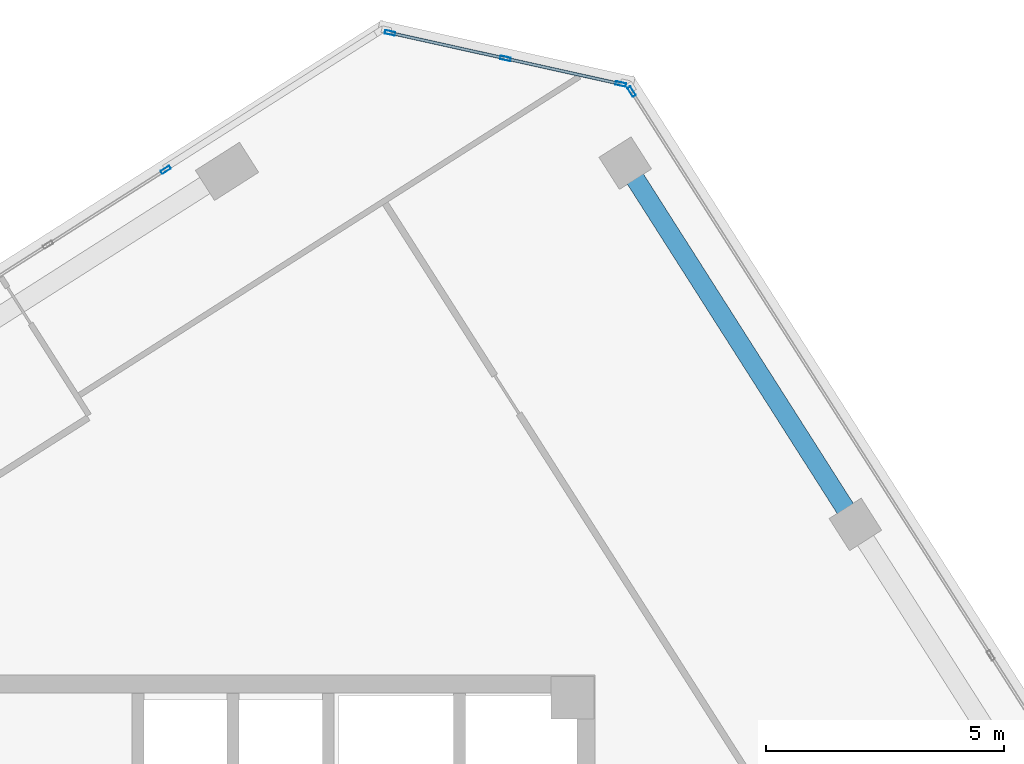
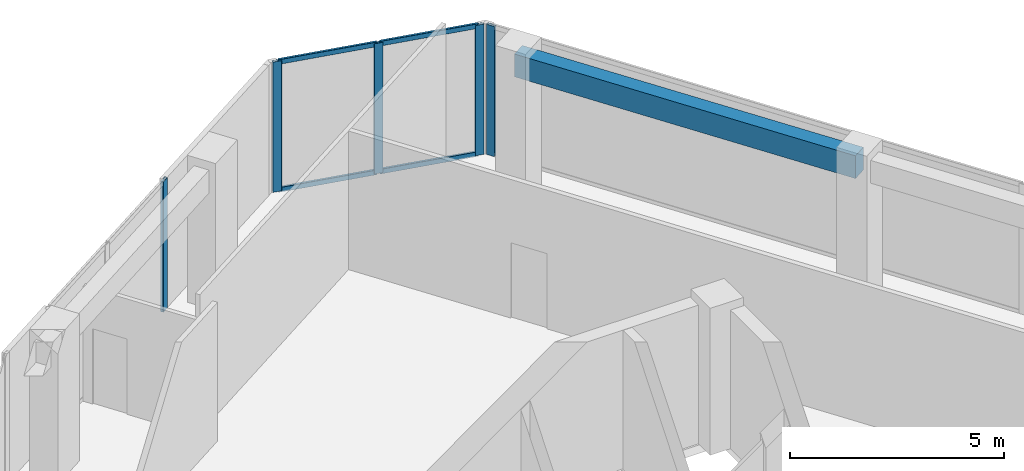
# One storey, part 9 of 15: 9 members, 1 beam, 3 elements without a shape of their own.
"""IFC4 building model written with IfcOpenShell, lengths in metres."""

from ifc_helpers import new_model, si_unit, direction, frame, origin, origin_2d, place, context, subcontext, project, spatial, rectangle, hollow_rectangle, extrude, source, transform, mapped, material, material_profile, profile_set, type_object, element, aggregate, save


model = new_model("IFC4")

# Units and contexts
model_context = context("Model", 3, precision=1e-05, world=origin(), true_north=direction((0.0, 1.0)))
body_context = subcontext(model_context, "Body", "Model", "MODEL_VIEW")
ifc_project = project(units=[si_unit("LENGTHUNIT", "METRE"), si_unit("AREAUNIT", "SQUARE_METRE"), si_unit("VOLUMEUNIT", "CUBIC_METRE"), si_unit("PLANEANGLEUNIT", "RADIAN"), si_unit("MASSUNIT", "GRAM", prefix="KILO")], contexts=[model_context])

# Site, building, storey
site_placement = place(None, origin())
site = spatial("IfcSite", under=ifc_project, at=site_placement, CompositionType="ELEMENT")
building_placement = place(site_placement, origin())
building = spatial("IfcBuilding", under=site, at=building_placement, Name="Torre Montelarca", CompositionType="ELEMENT")
storey_placement = place(building_placement, frame((0.0, 0.0, 311.39990234375)))
storey = spatial("IfcBuildingStorey", under=building, at=storey_placement, Name="L70", CompositionType="ELEMENT", Elevation=311.39990234375)

# Beam
ifc_material_1 = material(Name="Concrete C40/50", Category="concrete")
ifc_material_profile_1 = material_profile(ifc_material_1, rectangle(XDim=0.39990234375, YDim=0.64990234375, at=origin_2d()), Name="RCB400X650", Category="concrete")
ifc_profile_set_1 = profile_set([ifc_material_profile_1], Name="Concrete C40/50")
beam_type = type_object("IfcBeamType", Name="BM-SP-RC650-EXT", PredefinedType="SPANDREL", material=ifc_profile_set_1)
shared_shape_1 = source(origin(), body_context, "Body", "SweptSolid", [
    extrude(rectangle(XDim=0.39990234375, YDim=0.64990234375, at=origin_2d()), origin(), (0.0, 0.0, 1.0), 9.0),
])
beam_placement = place(storey_placement, frame((27.56103515625, 50.6826171875, 3.635009765625), z_axis=(0.5372966855, -0.843393307865, 0.0), x_axis=(0.843393307865, 0.5372966855, 0.0)))
element("IfcBeam", 1, at=beam_placement, inside=storey, type_object=beam_type, Name="L70 Grid Girder X 9.0-18.0 at Y=47.1", PredefinedType="SPANDREL", context=body_context, shape_type="MappedRepresentation", body=[
    mapped(shared_shape_1, transform((0.0, 0.0, 0.0), scale=1.0)),
])

# Curtain wall, member
ifc_material_2 = material(Name="Insulated low-E laminated glass", Category="glass")
curtain_wall_type = type_object("IfcCurtainWallType", Name="CW-SYS-Z4", PredefinedType="USERDEFINED", material=ifc_material_2)
curtain_wall_1_placement = place(storey_placement, origin())
curtain_wall_1 = element("IfcCurtainWall", 2, at=curtain_wall_1_placement, inside=storey, type_object=curtain_wall_type, Name="L70 Curtain Wall Run CW-T3-L70-E08-B1", ObjectType="UNITISED GLAZING", PredefinedType="USERDEFINED")
ifc_material_3 = material(Name="Anodised aluminium AA 6063-T6", Category="aluminium")
ifc_material_profile_2 = material_profile(ifc_material_3, hollow_rectangle(XDim=0.074951171875, YDim=0.219970703125, WallThickness=0.0048828125, InnerFilletRadius=0.0048828125, OuterFilletRadius=0.010009765625, at=origin_2d()), Name="ALU75X220X5", Category="aluminium")
ifc_profile_set_2 = profile_set([ifc_material_profile_2], Name="Anodised aluminium AA 6063-T6")
member_type_1 = type_object("IfcMemberType", Name="CWM-ALU220", PredefinedType="MULLION", material=ifc_profile_set_2)
shared_shape_2 = source(origin(), body_context, "Body", "SweptSolid", [
    extrude(hollow_rectangle(XDim=0.074951171875, YDim=0.219970703125, WallThickness=0.0048828125, InnerFilletRadius=0.0048828125, OuterFilletRadius=0.010009765625, at=origin_2d()), origin(), (0.0, 0.0, 1.0), 3.72021484375),
])
member_1_placement = place(storey_placement, frame((27.694091796875, 52.18603515625, 0.0), z_axis=(0.0, 0.0, 1.0), x_axis=(-0.843391094882, -0.537300159197, 0.0)))
member_1 = element("IfcMember", 3, at=member_1_placement, type_object=member_type_1, Name="CW mullion 3", PredefinedType="MULLION", context=body_context, shape_type="MappedRepresentation", body=[
    mapped(shared_shape_2, transform((0.0, 0.0, 0.0), scale=1.0)),
])
aggregate(curtain_wall_1, [member_1])

# Curtain wall, members
curtain_wall_2_placement = place(storey_placement, origin())
curtain_wall_2 = element("IfcCurtainWall", 4, at=curtain_wall_2_placement, inside=storey, type_object=curtain_wall_type, Name="L70 Curtain Wall Run CW-T3-L70-E09-B1", ObjectType="UNITISED GLAZING", PredefinedType="USERDEFINED")
member_2_placement = place(storey_placement, frame((27.4677734375, 52.344482421875, 0.0), z_axis=(0.0, 0.0, 1.0), x_axis=(-0.216443270716, -0.976295196425, 0.0)))
member_2 = element("IfcMember", 5, at=member_2_placement, type_object=member_type_1, Name="CW mullion 1", PredefinedType="MULLION", context=body_context, shape_type="MappedRepresentation", body=[
    mapped(shared_shape_2, transform((0.0, 0.0, 0.0), scale=1.0)),
])
member_3_placement = place(storey_placement, frame((25.04296875, 52.882080078125, 0.0), z_axis=(0.0, 0.0, 1.0), x_axis=(-0.216443270716, -0.976295196425, 0.0)))
member_3 = element("IfcMember", 6, at=member_3_placement, type_object=member_type_1, Name="CW mullion 2", PredefinedType="MULLION", context=body_context, shape_type="MappedRepresentation", body=[
    mapped(shared_shape_2, transform((0.0, 0.0, 0.0), scale=1.0)),
])
member_4_placement = place(storey_placement, frame((22.6181640625, 53.419677734375, 0.0), z_axis=(0.0, 0.0, 1.0), x_axis=(-0.216443270716, -0.976295196425, 0.0)))
member_4 = element("IfcMember", 7, at=member_4_placement, type_object=member_type_1, Name="CW mullion 3", PredefinedType="MULLION", context=body_context, shape_type="MappedRepresentation", body=[
    mapped(shared_shape_2, transform((0.0, 0.0, 0.0), scale=1.0)),
])

# Curtain wall, member
curtain_wall_3_placement = place(storey_placement, origin())
curtain_wall_3 = element("IfcCurtainWall", 8, at=curtain_wall_3_placement, inside=storey, type_object=curtain_wall_type, Name="L70 Curtain Wall Run CW-T3-L70-E10-B1", ObjectType="UNITISED GLAZING", PredefinedType="USERDEFINED")
member_5_placement = place(storey_placement, frame((17.906494140625, 50.543212890625, 0.0), z_axis=(0.0, 0.0, 1.0), x_axis=(0.537300255878, -0.84339103329, 0.0)))
member_5 = element("IfcMember", 9, at=member_5_placement, type_object=member_type_1, Name="CW mullion 1", PredefinedType="MULLION", context=body_context, shape_type="MappedRepresentation", body=[
    mapped(shared_shape_2, transform((0.0, 0.0, 0.0), scale=1.0)),
])
aggregate(curtain_wall_3, [member_5])

# Member
ifc_material_profile_3 = material_profile(ifc_material_3, hollow_rectangle(XDim=0.06494140625, YDim=0.139892578125, WallThickness=0.00390625, InnerFilletRadius=0.00390625, OuterFilletRadius=0.008056640625, at=origin_2d()), Name="ALU65X140X4", Category="aluminium")
ifc_profile_set_3 = profile_set([ifc_material_profile_3], Name="Anodised aluminium AA 6063-T6")
member_type_2 = type_object("IfcMemberType", Name="CWT-ALU140", PredefinedType="USERDEFINED", material=ifc_profile_set_3)
shared_shape_3 = source(origin(), body_context, "Body", "SweptSolid", [
    extrude(hollow_rectangle(XDim=0.06494140625, YDim=0.139892578125, WallThickness=0.00390625, InnerFilletRadius=0.00390625, OuterFilletRadius=0.008056640625, at=origin_2d()), origin(), (0.0, 0.0, 1.0), 2.40869140625),
])
member_6_placement = place(storey_placement, frame((25.00634765625, 52.89013671875, 0.03271484375), z_axis=(-0.976303781163, 0.216404544516, 0.0), x_axis=(-0.216404544516, -0.976303781163, 0.0)))
member_6 = element("IfcMember", 10, at=member_6_placement, type_object=member_type_2, Name="CW transom 2.1", ObjectType="TRANSOM", PredefinedType="USERDEFINED", context=body_context, shape_type="MappedRepresentation", body=[
    mapped(shared_shape_3, transform((0.0, 0.0, 0.0), scale=1.0)),
])

member_7_placement = place(storey_placement, frame((25.00634765625, 52.89013671875, 3.6875), z_axis=(-0.976303781163, 0.216404544516, 0.0), x_axis=(-0.216404544516, -0.976303781163, 0.0)))
member_7 = element("IfcMember", 11, at=member_7_placement, type_object=member_type_2, Name="CW transom 2.2", ObjectType="TRANSOM", PredefinedType="USERDEFINED", context=body_context, shape_type="MappedRepresentation", body=[
    mapped(shared_shape_3, transform((0.0, 0.0, 0.0), scale=1.0)),
])

shared_shape_4 = source(origin(), body_context, "Body", "SweptSolid", [
    extrude(hollow_rectangle(XDim=0.06494140625, YDim=0.139892578125, WallThickness=0.00390625, InnerFilletRadius=0.00390625, OuterFilletRadius=0.008056640625, at=origin_2d()), origin(), (0.0, 0.0, 1.0), 2.408935546875),
])
member_8_placement = place(storey_placement, frame((27.431396484375, 52.3525390625, 0.03271484375), z_axis=(-0.976308527262, 0.216383131496, 0.0), x_axis=(-0.216383131496, -0.976308527262, 0.0)))
member_8 = element("IfcMember", 12, at=member_8_placement, type_object=member_type_2, Name="CW transom 1.1", ObjectType="TRANSOM", PredefinedType="USERDEFINED", context=body_context, shape_type="MappedRepresentation", body=[
    mapped(shared_shape_4, transform((0.0, 0.0, 0.0), scale=1.0)),
])

member_9_placement = place(storey_placement, frame((27.431396484375, 52.3525390625, 3.6875), z_axis=(-0.976308527262, 0.216383131496, 0.0), x_axis=(-0.216383131496, -0.976308527262, 0.0)))
member_9 = element("IfcMember", 13, at=member_9_placement, type_object=member_type_2, Name="CW transom 1.2", ObjectType="TRANSOM", PredefinedType="USERDEFINED", context=body_context, shape_type="MappedRepresentation", body=[
    mapped(shared_shape_4, transform((0.0, 0.0, 0.0), scale=1.0)),
])

aggregate(curtain_wall_2, [member_2, member_3, member_4, member_8, member_9, member_6, member_7])

save(model, "model.ifc")
